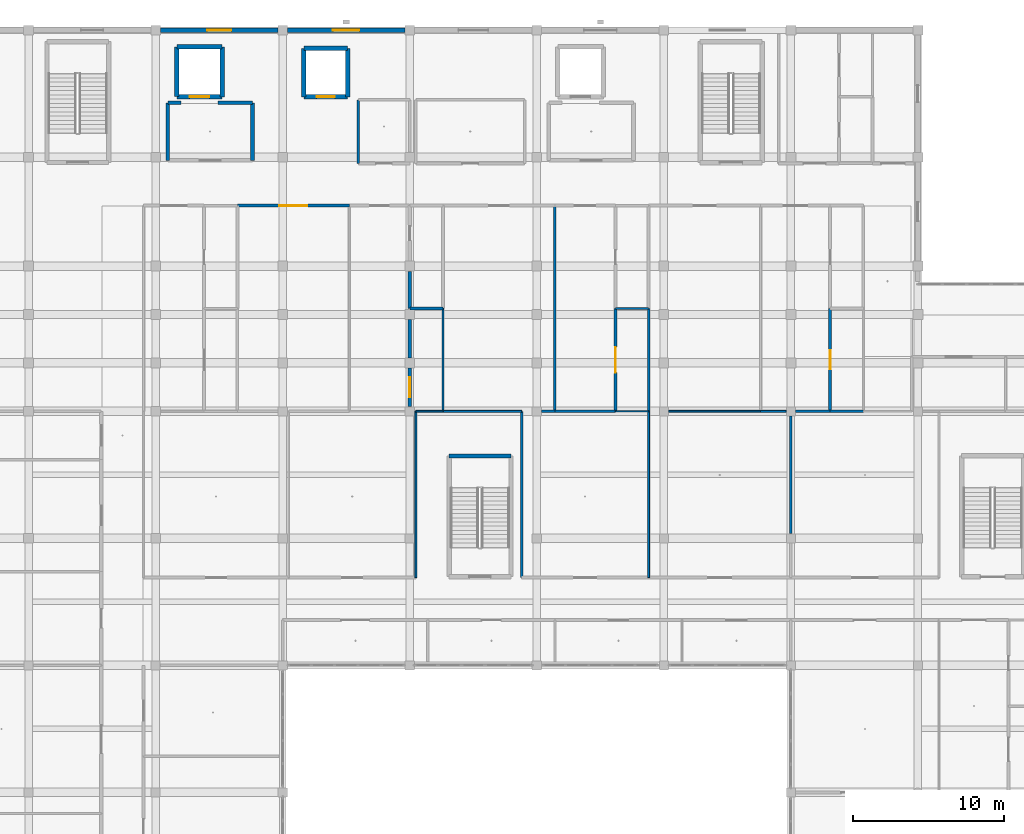
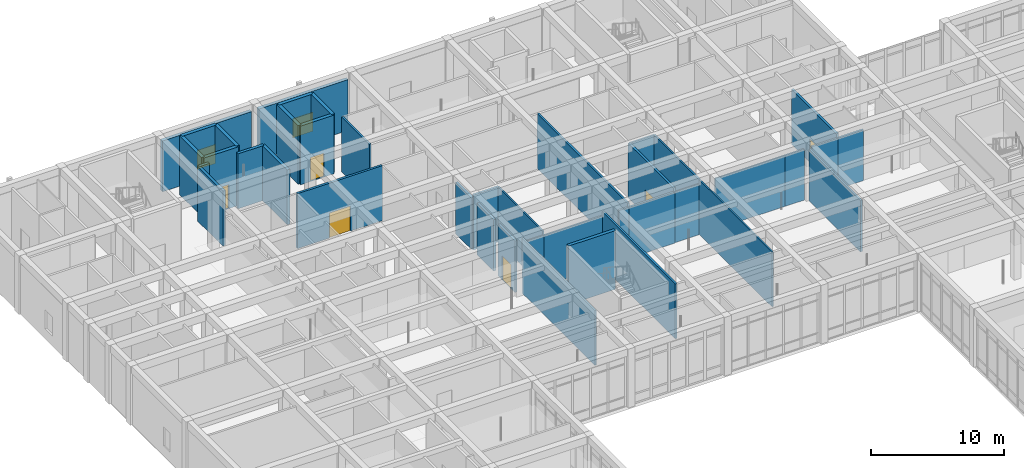
# One storey, part 82 of 157: 40 walls, 6 doors, 2 windows, 8 openings.
"""IFC4 building model written with IfcOpenShell, lengths in metres."""

from ifc_helpers import new_model, si_unit, direction, frame, frame_2d, origin, place, context, subcontext, project, spatial, rectangle, extrude, material, layer, layer_set, type_object, element, fill, save


model = new_model("IFC4")

# Units and contexts
model_context = context("Model", 3, precision=1e-05, world=origin(), true_north=direction((0.0, 1.0)))
body_context = subcontext(model_context, "Body", "Model", "MODEL_VIEW")
ifc_project = project(units=[si_unit("LENGTHUNIT", "METRE"), si_unit("AREAUNIT", "SQUARE_METRE"), si_unit("VOLUMEUNIT", "CUBIC_METRE"), si_unit("PLANEANGLEUNIT", "RADIAN"), si_unit("MASSUNIT", "GRAM", prefix="KILO")], contexts=[model_context])

# Site, building, storey
site_placement = place(None, origin())
site = spatial("IfcSite", under=ifc_project, at=site_placement, CompositionType="ELEMENT")
building_placement = place(site_placement, origin())
building = spatial("IfcBuilding", under=site, at=building_placement, Name="Varncliffe General Hospital", CompositionType="ELEMENT")
storey_placement = place(building_placement, frame((0.0, 0.0, 5.39990234375)))
storey = spatial("IfcBuildingStorey", under=building, at=storey_placement, Name="L01", CompositionType="ELEMENT", Elevation=5.39990234375)

# Wall, opening, window
ifc_material_1 = material(Name="Precast concrete C40/50 with insulated cream lime-cement stucco", Category="concrete")
ifc_layer_1 = layer(ifc_material_1, 0.31005859375)
ifc_layer_set_1 = layer_set([ifc_layer_1], Name="Precast concrete C40/50 with insulated cream lime-cement stucco")
wall_type_1 = type_object("IfcWallType", Name="Exterior Insulated Stucco Wall EW20 (310mm)", PredefinedType="SOLIDWALL", material=ifc_layer_set_1)
wall_1_placement = place(storey_placement, frame((17.123046875, 124.800048828125, 0.0), z_axis=(0.0, 0.0, 1.0), x_axis=(1.0, 0.0, 0.0)))
wall_1 = element("IfcWall", 1, at=wall_1_placement, inside=storey, type_object=wall_type_1, Name="L01 Exterior Stucco Wall EW20-116", PredefinedType="SOLIDWALL", context=body_context, shape_type="SweptSolid", body=[
    extrude(rectangle(XDim=7.75390625, YDim=0.31005859375, at=frame_2d((3.876953125, 0.0))), origin(), (0.0, 0.0, 1.0), 4.68017578125),
])
opening_1_placement = place(wall_1_placement, frame((3.076904296875, 0.0, 0.89990234375)))
opening_1 = element("IfcOpeningElement", 2, at=opening_1_placement, cuts=wall_1, Name="Opening WN87", PredefinedType="OPENING", context=body_context, shape_type="SweptSolid", body=[
    extrude(rectangle(XDim=1.60009765625, YDim=1.75, at=frame_2d((0.800048828125, 0.875))), frame((0.0, 0.1650390625, 0.0), z_axis=(0.0, -1.0, 0.0), x_axis=(1.0, 0.0, 0.0)), (0.0, 0.0, 1.0), 0.330078125),
])
ifc_material_2 = material(Name="Triple low-E argon insulated vision glazing", Category="glass")
window_type_1 = type_object("IfcWindowType", Name="Triple-Glazed Hospital Window WN87 (1600x1750)", PartitioningType="DOUBLE_PANEL_VERTICAL", PredefinedType="WINDOW", material=ifc_material_2)
window_1_placement = place(opening_1_placement, origin())
window_1 = element("IfcWindow", 3, at=window_1_placement, inside=storey, type_object=window_type_1, Name="L01 Hospital Window WN87-63", OverallHeight=1.75, OverallWidth=1.60009765625, PartitioningType="DOUBLE_PANEL_VERTICAL", PredefinedType="WINDOW", context=body_context, shape_type="SweptSolid", body=[
    extrude(rectangle(XDim=1.60009765625, YDim=1.75, at=frame_2d((0.800048828125, 0.875))), frame((0.0, 0.030029296875, 0.0), z_axis=(0.0, -1.0, 0.0), x_axis=(1.0, 0.0, 0.0)), (0.0, 0.0, 1.0), 0.06005859375),
])
fill(opening_1, window_1)

ifc_layer_2 = layer(ifc_material_1, 0.2900390625)
ifc_layer_set_2 = layer_set([ifc_layer_2], Name="Precast concrete C40/50 with insulated cream lime-cement stucco")
wall_type_2 = type_object("IfcWallType", Name="Exterior Insulated Stucco Wall EW31 (290mm)", PredefinedType="SOLIDWALL", material=ifc_layer_set_2)
wall_2_placement = place(storey_placement, frame((25.52294921875, 124.800048828125, 0.0), z_axis=(0.0, 0.0, 1.0), x_axis=(1.0, 0.0, 0.0)))
wall_2 = element("IfcWall", 4, at=wall_2_placement, inside=storey, type_object=wall_type_2, Name="L01 Exterior Stucco Wall EW31-117", PredefinedType="SOLIDWALL", context=body_context, shape_type="SweptSolid", body=[
    extrude(rectangle(XDim=7.754150390625, YDim=0.2900390625, at=frame_2d((3.876953125, 0.0))), origin(), (0.0, 0.0, 1.0), 4.68017578125),
])
opening_2_placement = place(wall_2_placement, frame((3.001953125, 0.0, 0.89990234375)))
opening_2 = element("IfcOpeningElement", 5, at=opening_2_placement, cuts=wall_2, Name="Opening WN82", PredefinedType="OPENING", context=body_context, shape_type="SweptSolid", body=[
    extrude(rectangle(XDim=1.75, YDim=1.75, at=frame_2d((0.875, 0.875))), frame((0.0, 0.155029296875, 0.0), z_axis=(0.0, -1.0, 0.0), x_axis=(1.0, 0.0, 0.0)), (0.0, 0.0, 1.0), 0.31005859375),
])
window_type_2 = type_object("IfcWindowType", Name="Triple-Glazed Hospital Window WN82 (1750x1750)", PartitioningType="DOUBLE_PANEL_VERTICAL", PredefinedType="WINDOW", material=ifc_material_2)
window_2_placement = place(opening_2_placement, origin())
window_2 = element("IfcWindow", 6, at=window_2_placement, inside=storey, type_object=window_type_2, Name="L01 Hospital Window WN82-64", OverallHeight=1.75, OverallWidth=1.75, PartitioningType="DOUBLE_PANEL_VERTICAL", PredefinedType="WINDOW", context=body_context, shape_type="SweptSolid", body=[
    extrude(rectangle(XDim=1.75, YDim=1.75, at=frame_2d((0.875, 0.875))), frame((0.0, 0.030029296875, 0.0), z_axis=(0.0, -1.0, 0.0), x_axis=(1.0, 0.0, 0.0)), (0.0, 0.0, 1.0), 0.06005859375),
])
fill(opening_2, window_2)

# Walls
ifc_material_3 = material(Name="Acoustic clinical gypsum stud partition assembly", Category="gypsum")
ifc_layer_3 = layer(ifc_material_3, 0.1298828125)
ifc_layer_set_3 = layer_set([ifc_layer_3], Name="Acoustic clinical gypsum stud partition assembly")
wall_type_3 = type_object("IfcWallType", Name="Interior Partitioning IW11 (130mm)", PredefinedType="PARTITIONING", material=ifc_layer_set_3)
wall_3_placement = place(storey_placement, frame((35.800048828125, 99.60009765625, 0.0), z_axis=(0.0, 0.0, 1.0), x_axis=(1.0, 0.0, 0.0)))
element("IfcWall", 7, at=wall_3_placement, inside=storey, type_object=wall_type_3, Name="L01 Interior Partition Wall IW11-558", PredefinedType="PARTITIONING", context=body_context, shape_type="SweptSolid", body=[
    extrude(rectangle(XDim=5.199951171875, YDim=0.1298828125, at=frame_2d((2.60009765625, 0.0))), origin(), (0.0, 0.0, 1.0), 4.68505859375),
])
wall_4_placement = place(storey_placement, frame((56.800048828125, 99.60009765625, 0.0), z_axis=(0.0, 0.0, 1.0), x_axis=(1.0, 0.0, 0.0)))
element("IfcWall", 8, at=wall_4_placement, inside=storey, type_object=wall_type_3, Name="L01 Interior Partition Wall IW11-563", PredefinedType="PARTITIONING", context=body_context, shape_type="SweptSolid", body=[
    extrude(rectangle(XDim=1.68505859375, YDim=0.1298828125, at=frame_2d((0.842529296875, 0.0))), origin(), (0.0, 0.0, 1.0), 4.68505859375),
])
wall_5_placement = place(storey_placement, frame((34.0, 88.60009765625, 0.0), z_axis=(0.0, 0.0, 1.0), x_axis=(0.0, 1.0, 0.0)))
element("IfcWall", 9, at=wall_5_placement, inside=storey, type_object=wall_type_3, Name="L01 Interior Partition Wall IW11-718", PredefinedType="PARTITIONING", context=body_context, shape_type="SweptSolid", body=[
    extrude(rectangle(XDim=11.0, YDim=0.1298828125, at=frame_2d((5.5, 0.0))), origin(), (0.0, 0.0, 1.0), 5.050048828125),
])
wall_6_placement = place(storey_placement, frame((35.800048828125, 99.60009765625, 0.0), z_axis=(0.0, 0.0, 1.0), x_axis=(0.0, 1.0, 0.0)))
element("IfcWall", 10, at=wall_6_placement, inside=storey, type_object=wall_type_3, Name="L01 Interior Partition Wall IW11-723", PredefinedType="PARTITIONING", context=body_context, shape_type="SweptSolid", body=[
    extrude(rectangle(XDim=6.7998046875, YDim=0.1298828125, at=frame_2d((3.39990234375, 0.0))), origin(), (0.0, 0.0, 1.0), 5.050048828125),
])
wall_7_placement = place(storey_placement, frame((49.39990234375, 88.60009765625, 0.0), z_axis=(0.0, 0.0, 1.0), x_axis=(0.0, 1.0, 0.0)))
element("IfcWall", 11, at=wall_7_placement, inside=storey, type_object=wall_type_3, Name="L01 Interior Partition Wall IW11-738", PredefinedType="PARTITIONING", context=body_context, shape_type="SweptSolid", body=[
    extrude(rectangle(XDim=11.0, YDim=0.1298828125, at=frame_2d((5.5, 0.0))), origin(), (0.0, 0.0, 1.0), 5.050048828125),
])
ifc_layer_4 = layer(ifc_material_3, 0.169921875)
ifc_layer_set_4 = layer_set([ifc_layer_4], Name="Acoustic clinical gypsum stud partition assembly")
wall_type_4 = type_object("IfcWallType", Name="Interior Partitioning IW20 (170mm)", PredefinedType="PARTITIONING", material=ifc_layer_set_4)
wall_8_placement = place(storey_placement, frame((43.199951171875, 99.60009765625, 0.0), z_axis=(0.0, 0.0, 1.0), x_axis=(1.0, 0.0, 0.0)))
element("IfcWall", 12, at=wall_8_placement, inside=storey, type_object=wall_type_4, Name="L01 Interior Partition Wall IW20-560", PredefinedType="PARTITIONING", context=body_context, shape_type="SweptSolid", body=[
    extrude(rectangle(XDim=4.0, YDim=0.169921875, at=frame_2d((2.0, 0.0))), origin(), (0.0, 0.0, 1.0), 4.68505859375),
])
wall_9_placement = place(storey_placement, frame((61.39990234375, 99.60009765625, 0.0), z_axis=(0.0, 0.0, 1.0), x_axis=(1.0, 0.0, 0.0)))
element("IfcWall", 13, at=wall_9_placement, inside=storey, type_object=wall_type_4, Name="L01 Interior Partition Wall IW20-565", PredefinedType="PARTITIONING", context=body_context, shape_type="SweptSolid", body=[
    extrude(rectangle(XDim=2.2001953125, YDim=0.169921875, at=frame_2d((1.10009765625, 0.0))), origin(), (0.0, 0.0, 1.0), 4.68505859375),
])
wall_10_placement = place(storey_placement, frame((41.0, 88.60009765625, 0.0), z_axis=(0.0, 0.0, 1.0), x_axis=(0.0, 1.0, 0.0)))
element("IfcWall", 14, at=wall_10_placement, inside=storey, type_object=wall_type_4, Name="L01 Interior Partition Wall IW20-725", PredefinedType="PARTITIONING", context=body_context, shape_type="SweptSolid", body=[
    extrude(rectangle(XDim=11.0, YDim=0.169921875, at=frame_2d((5.5, 0.0))), origin(), (0.0, 0.0, 1.0), 5.050048828125),
])
wall_11_placement = place(storey_placement, frame((43.199951171875, 99.60009765625, 0.0), z_axis=(0.0, 0.0, 1.0), x_axis=(0.0, 1.0, 0.0)))
element("IfcWall", 15, at=wall_11_placement, inside=storey, type_object=wall_type_4, Name="L01 Interior Partition Wall IW20-730", PredefinedType="PARTITIONING", context=body_context, shape_type="SweptSolid", body=[
    extrude(rectangle(XDim=13.599853515625, YDim=0.169921875, at=frame_2d((6.7998046875, 0.0))), origin(), (0.0, 0.0, 1.0), 5.050048828125),
])
wall_12_placement = place(storey_placement, frame((58.800048828125, 91.514892578125, 0.0), z_axis=(0.0, 0.0, 1.0), x_axis=(0.0, 1.0, 0.0)))
element("IfcWall", 16, at=wall_12_placement, inside=storey, type_object=wall_type_4, Name="L01 Interior Partition Wall IW20-750", PredefinedType="PARTITIONING", context=body_context, shape_type="SweptSolid", body=[
    extrude(rectangle(XDim=7.77001953125, YDim=0.169921875, at=frame_2d((3.885009765625, 0.0))), origin(), (0.0, 0.0, 1.0), 4.735107421875),
])
ifc_layer_5 = layer(ifc_material_3, 0.14990234375)
ifc_layer_set_5 = layer_set([ifc_layer_5], Name="Acoustic clinical gypsum stud partition assembly")
wall_type_5 = type_object("IfcWallType", Name="Interior Partitioning IW35 (150mm)", PredefinedType="PARTITIONING", material=ifc_layer_set_5)
wall_13_placement = place(storey_placement, frame((42.31494140625, 99.60009765625, 0.0), z_axis=(0.0, 0.0, 1.0), x_axis=(1.0, 0.0, 0.0)))
element("IfcWall", 17, at=wall_13_placement, inside=storey, type_object=wall_type_5, Name="L01 Interior Partition Wall IW35-559", PredefinedType="PARTITIONING", context=body_context, shape_type="SweptSolid", body=[
    extrude(rectangle(XDim=0.885009765625, YDim=0.14990234375, at=frame_2d((0.4423828125, 0.0))), origin(), (0.0, 0.0, 1.0), 4.68505859375),
])
wall_14_placement = place(storey_placement, frame((59.114990234375, 99.60009765625, 0.0), z_axis=(0.0, 0.0, 1.0), x_axis=(1.0, 0.0, 0.0)))
element("IfcWall", 18, at=wall_14_placement, inside=storey, type_object=wall_type_5, Name="L01 Interior Partition Wall IW35-564", PredefinedType="PARTITIONING", context=body_context, shape_type="SweptSolid", body=[
    extrude(rectangle(XDim=2.284912109375, YDim=0.14990234375, at=frame_2d((1.142578125, 0.0))), origin(), (0.0, 0.0, 1.0), 4.68505859375),
])
wall_15_placement = place(storey_placement, frame((49.39990234375, 99.60009765625, 0.0), z_axis=(0.0, 0.0, 1.0), x_axis=(0.0, 1.0, 0.0)))
element("IfcWall", 19, at=wall_15_placement, inside=storey, type_object=wall_type_5, Name="L01 Interior Partition Wall IW35-739", PredefinedType="PARTITIONING", context=body_context, shape_type="SweptSolid", body=[
    extrude(rectangle(XDim=6.7998046875, YDim=0.14990234375, at=frame_2d((3.39990234375, 0.0))), origin(), (0.0, 0.0, 1.0), 5.050048828125),
])
ifc_layer_6 = layer(ifc_material_3, 0.090087890625)
ifc_layer_set_6 = layer_set([ifc_layer_6], Name="Acoustic clinical gypsum stud partition assembly")
wall_type_6 = type_object("IfcWallType", Name="Interior Partitioning IW42 (90mm)", PredefinedType="PARTITIONING", material=ifc_layer_set_6)
wall_16_placement = place(storey_placement, frame((47.199951171875, 99.60009765625, 0.0), z_axis=(0.0, 0.0, 1.0), x_axis=(1.0, 0.0, 0.0)))
element("IfcWall", 20, at=wall_16_placement, inside=storey, type_object=wall_type_6, Name="L01 Interior Partition Wall IW42-561", PredefinedType="PARTITIONING", context=body_context, shape_type="SweptSolid", body=[
    extrude(rectangle(XDim=2.199951171875, YDim=0.090087890625, at=frame_2d((1.10009765625, 0.0))), origin(), (0.0, 0.0, 1.0), 4.68505859375),
])
ifc_layer_7 = layer(ifc_material_3, 0.110107421875)
ifc_layer_set_7 = layer_set([ifc_layer_7], Name="Acoustic clinical gypsum stud partition assembly")
wall_type_7 = type_object("IfcWallType", Name="Interior Partitioning IW65 (110mm)", PredefinedType="PARTITIONING", material=ifc_layer_set_7)
wall_17_placement = place(storey_placement, frame((34.0, 99.60009765625, 0.0), z_axis=(0.0, 0.0, 1.0), x_axis=(1.0, 0.0, 0.0)))
element("IfcWall", 21, at=wall_17_placement, inside=storey, type_object=wall_type_7, Name="L01 Interior Partition Wall IW65-557", PredefinedType="PARTITIONING", context=body_context, shape_type="SweptSolid", body=[
    extrude(rectangle(XDim=1.800048828125, YDim=0.110107421875, at=frame_2d((0.89990234375, 0.0))), origin(), (0.0, 0.0, 1.0), 4.68505859375),
])
wall_18_placement = place(storey_placement, frame((50.715087890625, 99.60009765625, 0.0), z_axis=(0.0, 0.0, 1.0), x_axis=(1.0, 0.0, 0.0)))
element("IfcWall", 22, at=wall_18_placement, inside=storey, type_object=wall_type_7, Name="L01 Interior Partition Wall IW65-562", PredefinedType="PARTITIONING", context=body_context, shape_type="SweptSolid", body=[
    extrude(rectangle(XDim=6.0849609375, YDim=0.110107421875, at=frame_2d((3.04248046875, 0.0))), origin(), (0.0, 0.0, 1.0), 4.68505859375),
])
ifc_material_4 = material(Name="Fire-rated gypsum and mineral-wool partition assembly", Category="gypsum")
ifc_layer_8 = layer(ifc_material_4, 0.25)
ifc_layer_set_8 = layer_set([ifc_layer_8], Name="Fire-rated gypsum and mineral-wool partition assembly")
wall_type_8 = type_object("IfcWallType", Name="Interior Partitioning PW38 (250mm)", PredefinedType="PARTITIONING", material=ifc_layer_set_8)
wall_19_placement = place(storey_placement, frame((20.935791015625, 120.0, 0.0), z_axis=(0.0, 0.0, 1.0), x_axis=(1.0, 0.0, 0.0)))
element("IfcWall", 23, at=wall_19_placement, inside=storey, type_object=wall_type_8, Name="L01 Interior Partition Wall PW38-657", PredefinedType="PARTITIONING", context=body_context, shape_type="SweptSolid", body=[
    extrude(rectangle(XDim=2.26416015625, YDim=0.25, at=frame_2d((1.132080078125, 0.0))), origin(), (0.0, 0.0, 1.0), 5.050048828125),
])
wall_20_placement = place(storey_placement, frame((17.60009765625, 120.0, 0.0), z_axis=(0.0, 0.0, 1.0), x_axis=(1.0, 0.0, 0.0)))
element("IfcWall", 24, at=wall_20_placement, inside=storey, type_object=wall_type_8, Name="L01 Interior Partition Wall PW38-658", PredefinedType="PARTITIONING", context=body_context, shape_type="SweptSolid", body=[
    extrude(rectangle(XDim=0.864013671875, YDim=0.25, at=frame_2d((0.43212890625, 0.0))), origin(), (0.0, 0.0, 1.0), 5.050048828125),
])
wall_21_placement = place(storey_placement, frame((23.199951171875, 116.199951171875, 0.0), z_axis=(0.0, 0.0, 1.0), x_axis=(0.0, 1.0, 0.0)))
element("IfcWall", 25, at=wall_21_placement, inside=storey, type_object=wall_type_8, Name="L01 Interior Partition Wall PW38-703", PredefinedType="PARTITIONING", context=body_context, shape_type="SweptSolid", body=[
    extrude(rectangle(XDim=3.800048828125, YDim=0.25, at=frame_2d((1.89990234375, 0.0))), origin(), (0.0, 0.0, 1.0), 5.050048828125),
])
ifc_layer_9 = layer(ifc_material_4, 0.22998046875)
ifc_layer_set_9 = layer_set([ifc_layer_9], Name="Fire-rated gypsum and mineral-wool partition assembly")
wall_type_9 = type_object("IfcWallType", Name="Interior Partitioning PW48 (230mm)", PredefinedType="PARTITIONING", material=ifc_layer_set_9)
wall_22_placement = place(storey_placement, frame((17.60009765625, 116.199951171875, 0.0), z_axis=(0.0, 0.0, 1.0), x_axis=(0.0, 1.0, 0.0)))
element("IfcWall", 26, at=wall_22_placement, inside=storey, type_object=wall_type_9, Name="L01 Interior Partition Wall PW48-694", PredefinedType="PARTITIONING", context=body_context, shape_type="SweptSolid", body=[
    extrude(rectangle(XDim=3.800048828125, YDim=0.22998046875, at=frame_2d((1.89990234375, 0.0))), origin(), (0.0, 0.0, 1.0), 5.050048828125),
])

# Wall, opening, door
ifc_layer_10 = layer(ifc_material_4, 0.199951171875)
ifc_layer_set_10 = layer_set([ifc_layer_10], Name="Fire-rated gypsum and mineral-wool partition assembly")
wall_type_10 = type_object("IfcWallType", Name="Interior Partitioning PW63 (200mm)", PredefinedType="PARTITIONING", material=ifc_layer_set_10)
wall_23_placement = place(storey_placement, frame((22.199951171875, 113.199951171875, 0.0), z_axis=(0.0, 0.0, 1.0), x_axis=(1.0, 0.0, 0.0)))
wall_23 = element("IfcWall", 27, at=wall_23_placement, inside=storey, type_object=wall_type_10, Name="L01 Interior Partition Wall PW63-618", PredefinedType="PARTITIONING", context=body_context, shape_type="SweptSolid", body=[
    extrude(rectangle(XDim=7.400146484375, YDim=0.199951171875, at=frame_2d((3.7001953125, 0.0))), origin(), (0.0, 0.0, 1.0), 5.050048828125),
])
opening_3_placement = place(wall_23_placement, frame((2.77490234375, 0.0, 0.0)))
opening_3 = element("IfcOpeningElement", 28, at=opening_3_placement, cuts=wall_23, Name="Opening DC38", PredefinedType="OPENING", context=body_context, shape_type="SweptSolid", body=[
    extrude(rectangle(XDim=1.85009765625, YDim=2.300048828125, at=frame_2d((0.925048828125, 1.14990234375))), frame((0.0, 0.10986328125, 0.0), z_axis=(0.0, -1.0, 0.0), x_axis=(1.0, 0.0, 0.0)), (0.0, 0.0, 1.0), 0.219970703125),
])
ifc_material_5 = material(Name="Fire-rated hospital steel-frame vision-panel door", Category="steel")
door_type_1 = type_object("IfcDoorType", Name="Interior Hospital Door DC38 (1850x2300)", OperationType="NOTDEFINED", PredefinedType="DOOR", material=ifc_material_5)
door_1_placement = place(opening_3_placement, frame((1.85009765625, 0.0, 0.0), z_axis=(0.0, 0.0, 1.0), x_axis=(-1.0, 0.0, 0.0)))
door_1 = element("IfcDoor", 29, at=door_1_placement, inside=storey, type_object=door_type_1, Name="L01 Ward Nurse Station and Medication Room 137 Door", OperationType="SINGLE_SWING_RIGHT", OverallHeight=2.300048828125, OverallWidth=1.85009765625, PredefinedType="DOOR", context=body_context, shape_type="SweptSolid", body=[
    extrude(rectangle(XDim=1.85009765625, YDim=2.300048828125, at=frame_2d((0.925048828125, 1.14990234375))), frame((0.0, 0.02490234375, 0.0), z_axis=(0.0, -1.0, 0.0), x_axis=(1.0, 0.0, 0.0)), (0.0, 0.0, 1.0), 0.050048828125),
])
fill(opening_3, door_1)

wall_24_placement = place(storey_placement, frame((33.60009765625, 99.9150390625, 0.0), z_axis=(0.0, 0.0, 1.0), x_axis=(0.0, 1.0, 0.0)))
wall_24 = element("IfcWall", 30, at=wall_24_placement, inside=storey, type_object=wall_type_10, Name="L01 Interior Partition Wall PW63-713", PredefinedType="PARTITIONING", context=body_context, shape_type="SweptSolid", body=[
    extrude(rectangle(XDim=2.544921875, YDim=0.199951171875, at=frame_2d((1.2724609375, 0.0))), origin(), (0.0, 0.0, 1.0), 4.735107421875),
])
opening_4_placement = place(wall_24_placement, frame((0.62255859375, 0.0, 0.0)))
opening_4 = element("IfcOpeningElement", 31, at=opening_4_placement, cuts=wall_24, Name="Opening DC88", PredefinedType="OPENING", context=body_context, shape_type="SweptSolid", body=[
    extrude(rectangle(XDim=1.300048828125, YDim=2.199951171875, at=frame_2d((0.64990234375, 1.10009765625))), frame((0.0, 0.10986328125, 0.0), z_axis=(0.0, -1.0, 0.0), x_axis=(1.0, 0.0, 0.0)), (0.0, 0.0, 1.0), 0.219970703125),
])
door_type_2 = type_object("IfcDoorType", Name="Interior Hospital Door DC88 (1300x2200)", OperationType="NOTDEFINED", PredefinedType="DOOR", material=ifc_material_5)
door_2_placement = place(opening_4_placement, frame((1.300048828125, 0.0, 0.0), z_axis=(0.0, 0.0, 1.0), x_axis=(-1.0, 0.0, 0.0)))
door_2 = element("IfcDoor", 32, at=door_2_placement, inside=storey, type_object=door_type_2, Name="L01 Patient Medication and Hygiene Bay 140 Door", OperationType="SINGLE_SWING_LEFT", OverallHeight=2.199951171875, OverallWidth=1.300048828125, PredefinedType="DOOR", context=body_context, shape_type="SweptSolid", body=[
    extrude(rectangle(XDim=1.300048828125, YDim=2.199951171875, at=frame_2d((0.64990234375, 1.10009765625))), frame((0.0, 0.02490234375, 0.0), z_axis=(0.0, -1.0, 0.0), x_axis=(1.0, 0.0, 0.0)), (0.0, 0.0, 1.0), 0.050048828125),
])
fill(opening_4, door_2)

# Walls
wall_25_placement = place(storey_placement, frame((33.60009765625, 103.139892578125, 0.0), z_axis=(0.0, 0.0, 1.0), x_axis=(0.0, 1.0, 0.0)))
element("IfcWall", 33, at=wall_25_placement, inside=storey, type_object=wall_type_10, Name="L01 Interior Partition Wall PW63-714", PredefinedType="PARTITIONING", context=body_context, shape_type="SweptSolid", body=[
    extrude(rectangle(XDim=2.52001953125, YDim=0.199951171875, at=frame_2d((1.260009765625, 0.0))), origin(), (0.0, 0.0, 1.0), 4.735107421875),
])
wall_26_placement = place(storey_placement, frame((33.60009765625, 106.39990234375, 0.0), z_axis=(0.0, 0.0, 1.0), x_axis=(0.0, 1.0, 0.0)))
element("IfcWall", 34, at=wall_26_placement, inside=storey, type_object=wall_type_10, Name="L01 Interior Partition Wall PW63-716", PredefinedType="PARTITIONING", context=body_context, shape_type="SweptSolid", body=[
    extrude(rectangle(XDim=2.460205078125, YDim=0.199951171875, at=frame_2d((1.22998046875, 0.0))), origin(), (0.0, 0.0, 1.0), 4.735107421875),
])

# Wall, opening, door
wall_27_placement = place(storey_placement, frame((47.199951171875, 99.60009765625, 0.0), z_axis=(0.0, 0.0, 1.0), x_axis=(0.0, 1.0, 0.0)))
wall_27 = element("IfcWall", 35, at=wall_27_placement, inside=storey, type_object=wall_type_10, Name="L01 Interior Partition Wall PW63-733", PredefinedType="PARTITIONING", context=body_context, shape_type="SweptSolid", body=[
    extrude(rectangle(XDim=6.7998046875, YDim=0.199951171875, at=frame_2d((3.39990234375, 0.0))), origin(), (0.0, 0.0, 1.0), 5.050048828125),
])
opening_5_placement = place(wall_27_placement, frame((2.550048828125, 0.0, 0.0)))
opening_5 = element("IfcOpeningElement", 36, at=opening_5_placement, cuts=wall_27, Name="Opening DC50", PredefinedType="OPENING", context=body_context, shape_type="SweptSolid", body=[
    extrude(rectangle(XDim=1.699951171875, YDim=2.300048828125, at=frame_2d((0.85009765625, 1.14990234375))), frame((0.0, 0.10986328125, 0.0), z_axis=(0.0, -1.0, 0.0), x_axis=(1.0, 0.0, 0.0)), (0.0, 0.0, 1.0), 0.219970703125),
])
door_type_3 = type_object("IfcDoorType", Name="Interior Hospital Door DC50 (1700x2300)", OperationType="NOTDEFINED", PredefinedType="DOOR", material=ifc_material_5)
door_3_placement = place(opening_5_placement, frame((1.699951171875, 0.0, 0.0), z_axis=(0.0, 0.0, 1.0), x_axis=(-1.0, 0.0, 0.0)))
door_3 = element("IfcDoor", 37, at=door_3_placement, inside=storey, type_object=door_type_3, Name="L01 Patient Medication and Hygiene Bay 144 Door", OperationType="SINGLE_SWING_LEFT", OverallHeight=2.300048828125, OverallWidth=1.699951171875, PredefinedType="DOOR", context=body_context, shape_type="SweptSolid", body=[
    extrude(rectangle(XDim=1.699951171875, YDim=2.300048828125, at=frame_2d((0.85009765625, 1.14990234375))), frame((0.0, 0.02490234375, 0.0), z_axis=(0.0, -1.0, 0.0), x_axis=(1.0, 0.0, 0.0)), (0.0, 0.0, 1.0), 0.050048828125),
])
fill(opening_5, door_3)

wall_28_placement = place(storey_placement, frame((61.39990234375, 99.60009765625, 0.0), z_axis=(0.0, 0.0, 1.0), x_axis=(0.0, 1.0, 0.0)))
wall_28 = element("IfcWall", 38, at=wall_28_placement, inside=storey, type_object=wall_type_10, Name="L01 Interior Partition Wall PW63-752", PredefinedType="PARTITIONING", context=body_context, shape_type="SweptSolid", body=[
    extrude(rectangle(XDim=6.7998046875, YDim=0.199951171875, at=frame_2d((3.39990234375, 0.0))), origin(), (0.0, 0.0, 1.0), 5.050048828125),
])
opening_6_placement = place(wall_28_placement, frame((2.77490234375, 0.0, 0.0)))
opening_6 = element("IfcOpeningElement", 39, at=opening_6_placement, cuts=wall_28, Name="Opening DC44", PredefinedType="OPENING", context=body_context, shape_type="SweptSolid", body=[
    extrude(rectangle(XDim=1.25, YDim=2.14990234375, at=frame_2d((0.625, 1.074951171875))), frame((0.0, 0.10986328125, 0.0), z_axis=(0.0, -1.0, 0.0), x_axis=(1.0, 0.0, 0.0)), (0.0, 0.0, 1.0), 0.219970703125),
])
door_type_4 = type_object("IfcDoorType", Name="Interior Hospital Door DC44 (1250x2150)", OperationType="NOTDEFINED", PredefinedType="DOOR", material=ifc_material_5)
door_4_placement = place(opening_6_placement, frame((1.25, 0.0, 0.0), z_axis=(0.0, 0.0, 1.0), x_axis=(-1.0, 0.0, 0.0)))
door_4 = element("IfcDoor", 40, at=door_4_placement, inside=storey, type_object=door_type_4, Name="L01 Patient Medication and Hygiene Bay 148 Door", OperationType="SINGLE_SWING_LEFT", OverallHeight=2.14990234375, OverallWidth=1.25, PredefinedType="DOOR", context=body_context, shape_type="SweptSolid", body=[
    extrude(rectangle(XDim=1.25, YDim=2.14990234375, at=frame_2d((0.625, 1.074951171875))), frame((0.0, 0.02490234375, 0.0), z_axis=(0.0, -1.0, 0.0), x_axis=(1.0, 0.0, 0.0)), (0.0, 0.0, 1.0), 0.050048828125),
])
fill(opening_6, door_4)

# Walls
ifc_material_6 = material(Name="Moisture-resistant plumbing chase wall assembly", Category="gypsum")
ifc_layer_11 = layer(ifc_material_6, 0.18994140625)
ifc_layer_set_11 = layer_set([ifc_layer_11], Name="Moisture-resistant plumbing chase wall assembly")
wall_type_11 = type_object("IfcWallType", Name="Interior Plumbingwall MW17 (190mm)", PredefinedType="PLUMBINGWALL", material=ifc_layer_set_11)
wall_29_placement = place(storey_placement, frame((33.60009765625, 106.39990234375, 0.0), z_axis=(0.0, 0.0, 1.0), x_axis=(1.0, 0.0, 0.0)))
element("IfcWall", 41, at=wall_29_placement, inside=storey, type_object=wall_type_11, Name="L01 Interior Plumbing Wall MW17-606", PredefinedType="PLUMBINGWALL", context=body_context, shape_type="SweptSolid", body=[
    extrude(rectangle(XDim=2.199951171875, YDim=0.18994140625, at=frame_2d((1.10009765625, 0.0))), origin(), (0.0, 0.0, 1.0), 5.050048828125),
])
ifc_layer_12 = layer(ifc_material_6, 0.159912109375)
ifc_layer_set_12 = layer_set([ifc_layer_12], Name="Moisture-resistant plumbing chase wall assembly")
wall_type_12 = type_object("IfcWallType", Name="Interior Plumbingwall MW31 (160mm)", PredefinedType="PLUMBINGWALL", material=ifc_layer_set_12)
wall_30_placement = place(storey_placement, frame((47.199951171875, 106.39990234375, 0.0), z_axis=(0.0, 0.0, 1.0), x_axis=(1.0, 0.0, 0.0)))
element("IfcWall", 42, at=wall_30_placement, inside=storey, type_object=wall_type_12, Name="L01 Interior Plumbing Wall MW31-607", PredefinedType="PLUMBINGWALL", context=body_context, shape_type="SweptSolid", body=[
    extrude(rectangle(XDim=2.199951171875, YDim=0.159912109375, at=frame_2d((1.10009765625, 0.0))), origin(), (0.0, 0.0, 1.0), 5.050048828125),
])
wall_31_placement = place(storey_placement, frame((30.199951171875, 116.0, 0.0), z_axis=(0.0, 0.0, 1.0), x_axis=(0.0, 1.0, 0.0)))
element("IfcWall", 43, at=wall_31_placement, inside=storey, type_object=wall_type_12, Name="L01 Interior Plumbing Wall MW31-709", PredefinedType="PLUMBINGWALL", context=body_context, shape_type="SweptSolid", body=[
    extrude(rectangle(XDim=4.199951171875, YDim=0.159912109375, at=frame_2d((2.10009765625, 0.0))), origin(), (0.0, 0.0, 1.0), 5.050048828125),
])

# Wall, opening, door
ifc_material_7 = material(Name="Concrete C40/50 (CSA A23.1 40 MPa)", Category="concrete")
ifc_layer_13 = layer(ifc_material_7, 0.300048828125)
ifc_layer_set_13 = layer_set([ifc_layer_13], Name="Concrete C40/50 (CSA A23.1 40 MPa)")
wall_type_13 = type_object("IfcWallType", Name="Reinforced Concrete Core Shear Wall CW12 (300mm)", PredefinedType="SHEAR", material=ifc_layer_set_13)
wall_32_placement = place(storey_placement, frame((18.199951171875, 120.39990234375, 0.0), z_axis=(0.0, 0.0, 1.0), x_axis=(1.0, 0.0, 0.0)))
wall_32 = element("IfcWall", 44, at=wall_32_placement, inside=storey, type_object=wall_type_13, Name="L01 LF01 Elevator Shaft Wall South", PredefinedType="SHEAR", context=body_context, shape_type="SweptSolid", body=[
    extrude(rectangle(XDim=3.0, YDim=0.300048828125, at=frame_2d((1.5, 0.0))), origin(), (0.0, 0.0, 1.0), 5.400146484375),
])
opening_7_placement = place(wall_32_placement, frame((0.85009765625, 0.0, 0.0)))
opening_7 = element("IfcOpeningElement", 45, at=opening_7_placement, cuts=wall_32, Name="Opening LD02", PredefinedType="OPENING", context=body_context, shape_type="SweptSolid", body=[
    extrude(rectangle(XDim=1.300048828125, YDim=2.199951171875, at=frame_2d((0.64990234375, 1.10009765625))), frame((0.0, 0.16015625, 0.0), z_axis=(0.0, -1.0, 0.0), x_axis=(1.0, 0.0, 0.0)), (0.0, 0.0, 1.0), 0.320068359375),
])
ifc_material_8 = material(Name="Brushed stainless-steel sliding elevator landing door", Category="steel")
door_type_5 = type_object("IfcDoorType", Name="Lift Landing Door LD02 (1300x2200)", OperationType="DOUBLE_DOOR_SLIDING", PredefinedType="DOOR", material=ifc_material_8)
door_5_placement = place(opening_7_placement, origin())
door_5 = element("IfcDoor", 46, at=door_5_placement, inside=storey, type_object=door_type_5, Name="Lift Landing Door LF01 L01", OperationType="DOUBLE_DOOR_SLIDING", OverallHeight=2.199951171875, OverallWidth=1.300048828125, PredefinedType="DOOR", context=body_context, shape_type="SweptSolid", body=[
    extrude(rectangle(XDim=1.300048828125, YDim=2.199951171875, at=frame_2d((0.64990234375, 1.10009765625))), frame((0.0, 0.02490234375, 0.0), z_axis=(0.0, -1.0, 0.0), x_axis=(1.0, 0.0, 0.0)), (0.0, 0.0, 1.0), 0.050048828125),
])
fill(opening_7, door_5)

# Walls
wall_33_placement = place(storey_placement, frame((21.199951171875, 120.39990234375, 0.0), z_axis=(0.0, 0.0, 1.0), x_axis=(0.0, 1.0, 0.0)))
element("IfcWall", 47, at=wall_33_placement, inside=storey, type_object=wall_type_13, Name="L01 LF01 Elevator Shaft Wall East", PredefinedType="SHEAR", context=body_context, shape_type="SweptSolid", body=[
    extrude(rectangle(XDim=3.300048828125, YDim=0.300048828125, at=frame_2d((1.64990234375, 0.0))), origin(), (0.0, 0.0, 1.0), 5.400146484375),
])
wall_34_placement = place(storey_placement, frame((21.199951171875, 123.699951171875, 0.0), z_axis=(0.0, 0.0, 1.0), x_axis=(-1.0, 0.0, 0.0)))
element("IfcWall", 48, at=wall_34_placement, inside=storey, type_object=wall_type_13, Name="L01 LF01 Elevator Shaft Wall North", PredefinedType="SHEAR", context=body_context, shape_type="SweptSolid", body=[
    extrude(rectangle(XDim=3.0, YDim=0.300048828125, at=frame_2d((1.5, 0.0))), origin(), (0.0, 0.0, 1.0), 5.400146484375),
])
wall_35_placement = place(storey_placement, frame((18.199951171875, 123.699951171875, 0.0), z_axis=(0.0, 0.0, 1.0), x_axis=(0.0, -1.0, 0.0)))
element("IfcWall", 49, at=wall_35_placement, inside=storey, type_object=wall_type_13, Name="L01 LF01 Elevator Shaft Wall West", PredefinedType="SHEAR", context=body_context, shape_type="SweptSolid", body=[
    extrude(rectangle(XDim=3.300048828125, YDim=0.300048828125, at=frame_2d((1.64990234375, 0.0))), origin(), (0.0, 0.0, 1.0), 5.400146484375),
])

# Wall, opening, door
wall_36_placement = place(storey_placement, frame((26.60009765625, 120.39990234375, 0.0), z_axis=(0.0, 0.0, 1.0), x_axis=(1.0, 0.0, 0.0)))
wall_36 = element("IfcWall", 50, at=wall_36_placement, inside=storey, type_object=wall_type_13, Name="L01 LF04 Elevator Shaft Wall South", PredefinedType="SHEAR", context=body_context, shape_type="SweptSolid", body=[
    extrude(rectangle(XDim=2.89990234375, YDim=0.300048828125, at=frame_2d((1.449951171875, 0.0))), origin(), (0.0, 0.0, 1.0), 5.400146484375),
])
opening_8_placement = place(wall_36_placement, frame((0.85009765625, 0.0, 0.0)))
opening_8 = element("IfcOpeningElement", 51, at=opening_8_placement, cuts=wall_36, Name="Opening LD01", PredefinedType="OPENING", context=body_context, shape_type="SweptSolid", body=[
    extrude(rectangle(XDim=1.199951171875, YDim=2.199951171875, at=frame_2d((0.60009765625, 1.10009765625))), frame((0.0, 0.16015625, 0.0), z_axis=(0.0, -1.0, 0.0), x_axis=(1.0, 0.0, 0.0)), (0.0, 0.0, 1.0), 0.320068359375),
])
door_type_6 = type_object("IfcDoorType", Name="Lift Landing Door LD01 (1200x2200)", OperationType="DOUBLE_DOOR_SLIDING", PredefinedType="DOOR", material=ifc_material_8)
door_6_placement = place(opening_8_placement, origin())
door_6 = element("IfcDoor", 52, at=door_6_placement, inside=storey, type_object=door_type_6, Name="Lift Landing Door LF04 L01", OperationType="DOUBLE_DOOR_SLIDING", OverallHeight=2.199951171875, OverallWidth=1.199951171875, PredefinedType="DOOR", context=body_context, shape_type="SweptSolid", body=[
    extrude(rectangle(XDim=1.199951171875, YDim=2.199951171875, at=frame_2d((0.60009765625, 1.10009765625))), frame((0.0, 0.02490234375, 0.0), z_axis=(0.0, -1.0, 0.0), x_axis=(1.0, 0.0, 0.0)), (0.0, 0.0, 1.0), 0.050048828125),
])
fill(opening_8, door_6)

# Walls
wall_37_placement = place(storey_placement, frame((29.5, 120.39990234375, 0.0), z_axis=(0.0, 0.0, 1.0), x_axis=(0.0, 1.0, 0.0)))
element("IfcWall", 53, at=wall_37_placement, inside=storey, type_object=wall_type_13, Name="L01 LF04 Elevator Shaft Wall East", PredefinedType="SHEAR", context=body_context, shape_type="SweptSolid", body=[
    extrude(rectangle(XDim=3.2001953125, YDim=0.300048828125, at=frame_2d((1.60009765625, 0.0))), origin(), (0.0, 0.0, 1.0), 5.400146484375),
])
wall_38_placement = place(storey_placement, frame((29.5, 123.60009765625, 0.0), z_axis=(0.0, 0.0, 1.0), x_axis=(-1.0, 0.0, 0.0)))
element("IfcWall", 54, at=wall_38_placement, inside=storey, type_object=wall_type_13, Name="L01 LF04 Elevator Shaft Wall North", PredefinedType="SHEAR", context=body_context, shape_type="SweptSolid", body=[
    extrude(rectangle(XDim=2.89990234375, YDim=0.300048828125, at=frame_2d((1.449951171875, 0.0))), origin(), (0.0, 0.0, 1.0), 5.400146484375),
])
wall_39_placement = place(storey_placement, frame((26.60009765625, 123.60009765625, 0.0), z_axis=(0.0, 0.0, 1.0), x_axis=(0.0, -1.0, 0.0)))
element("IfcWall", 55, at=wall_39_placement, inside=storey, type_object=wall_type_13, Name="L01 LF04 Elevator Shaft Wall West", PredefinedType="SHEAR", context=body_context, shape_type="SweptSolid", body=[
    extrude(rectangle(XDim=3.2001953125, YDim=0.300048828125, at=frame_2d((1.60009765625, 0.0))), origin(), (0.0, 0.0, 1.0), 5.400146484375),
])
ifc_layer_14 = layer(ifc_material_7, 0.280029296875)
ifc_layer_set_14 = layer_set([ifc_layer_14], Name="Concrete C40/50 (CSA A23.1 40 MPa)")
wall_type_14 = type_object("IfcWallType", Name="Reinforced Concrete Core Shear Wall CW13 (280mm)", PredefinedType="SHEAR", material=ifc_layer_set_14)
wall_40_placement = place(storey_placement, frame((40.2900390625, 96.639892578125, 0.0), z_axis=(0.0, 0.0, 1.0), x_axis=(-1.0, 0.0, 0.0)))
element("IfcWall", 56, at=wall_40_placement, inside=storey, type_object=wall_type_14, Name="L01 ST13 Core Shear Wall F", PredefinedType="SHEAR", context=body_context, shape_type="SweptSolid", body=[
    extrude(rectangle(XDim=4.080078125, YDim=0.280029296875, at=frame_2d((2.0400390625, 0.0))), origin(), (0.0, 0.0, 1.0), 5.400146484375),
])

save(model, "model.ifc")
